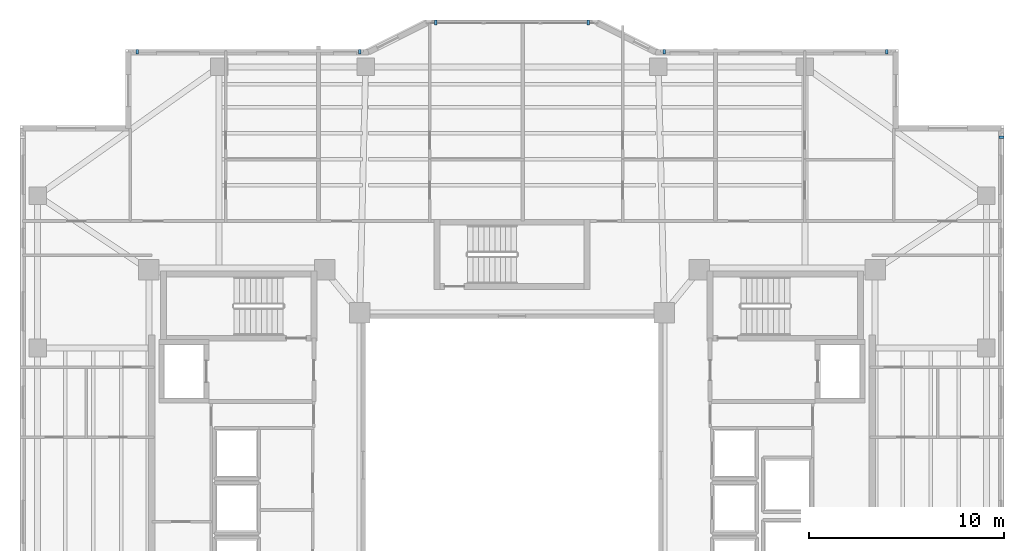
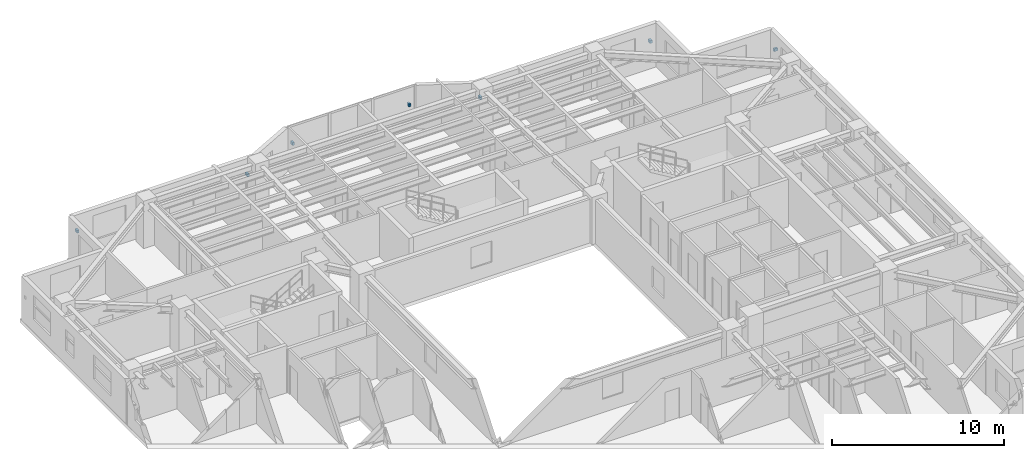
# One storey, part 13 of 16: 7 discrete accessories.
"""IFC4 building model written with IfcOpenShell, lengths in metres."""

from ifc_helpers import new_model, si_unit, direction, frame, origin, origin_2d, place, context, subcontext, project, spatial, rectangle, extrude, material, type_object, element, save


model = new_model("IFC4")

# Units and contexts
model_context = context("Model", 3, precision=1e-05, world=origin(), true_north=direction((0.0, 1.0)))
body_context = subcontext(model_context, "Body", "Model", "MODEL_VIEW")
ifc_project = project(units=[si_unit("LENGTHUNIT", "METRE"), si_unit("AREAUNIT", "SQUARE_METRE"), si_unit("VOLUMEUNIT", "CUBIC_METRE"), si_unit("PLANEANGLEUNIT", "RADIAN"), si_unit("MASSUNIT", "GRAM", prefix="KILO")], contexts=[model_context])

# Site, building, storey
site_placement = place(None, origin())
site = spatial("IfcSite", under=ifc_project, at=site_placement, CompositionType="ELEMENT")
building_placement = place(site_placement, origin())
building = spatial("IfcBuilding", under=site, at=building_placement, Name="Tarnavaz Court Tower", CompositionType="ELEMENT")
storey_placement = place(building_placement, frame((0.0, 0.0, 166.10009765625)))
storey = spatial("IfcBuildingStorey", under=building, at=storey_placement, Name="L45", CompositionType="ELEMENT", Elevation=166.10009765625)

# Discrete accessories
ifc_material = material(Name="Anodised Aluminium 6063-T6", Category="aluminium")
discrete_accessory_type = type_object("IfcDiscreteAccessoryType", Name="DA-BRKT-ALU", PredefinedType="BRACKET", material=ifc_material)
for number, where, z_axis, x_axis, name in (
    (1, (-19.199951171875, 21.169921875, 1.75), (0.0, 0.0, 1.0), (1.0, 0.0, 0.0), "L45 Baguette Outrigger Bracket FBG05-1"),
    (2, (-7.800048828125, 21.169921875, 1.75), (0.0, 0.0, 1.0), (1.0, 0.0, 0.0), "L45 Baguette Outrigger Bracket FBG05-2"),
    (3, (-3.89990234375, 22.669921875, 1.69970703125), (0.0, 0.0, 1.0), (1.0, 0.0, 0.0), "L45 Baguette Outrigger Bracket PBG7-1"),
    (4, (3.89990234375, 22.669921875, 1.69970703125), (0.0, 0.0, 1.0), (1.0, 0.0, 0.0), "L45 Baguette Outrigger Bracket PBG7-2"),
    (5, (7.800048828125, 21.169921875, 1.75), (0.0, 0.0, 1.0), (1.0, 0.0, 0.0), "L45 Baguette Outrigger Bracket FBG09-1"),
    (6, (19.199951171875, 21.169921875, 1.75), (0.0, 0.0, 1.0), (1.0, 0.0, 0.0), "L45 Baguette Outrigger Bracket FBG09-2"),
    (7, (25.070068359375, 16.800048828125, 1.75), (0.0, 0.0, 1.0), (0.0, -1.0, 0.0), "L45 Baguette Outrigger Bracket FBG12-1"),
):
    element("IfcDiscreteAccessory", number, at=place(storey_placement, frame(where, z_axis=z_axis, x_axis=x_axis)), inside=storey, type_object=discrete_accessory_type, Name=name, PredefinedType="BRACKET", context=body_context, shape_type="SweptSolid", body=[
        extrude(rectangle(XDim=0.139892578125, YDim=0.239990234375, at=origin_2d()), origin(), (0.0, 0.0, 1.0), 0.199951171875),
    ])

save(model, "model.ifc")
